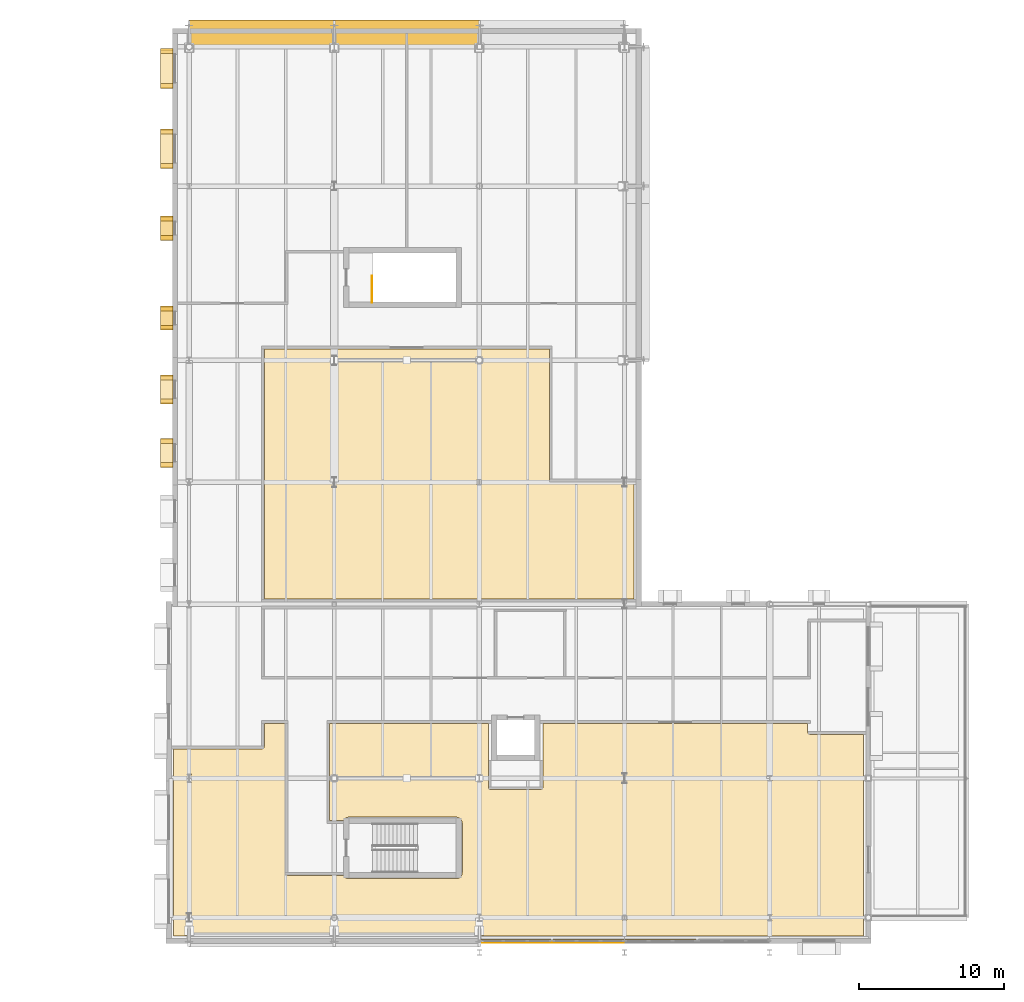
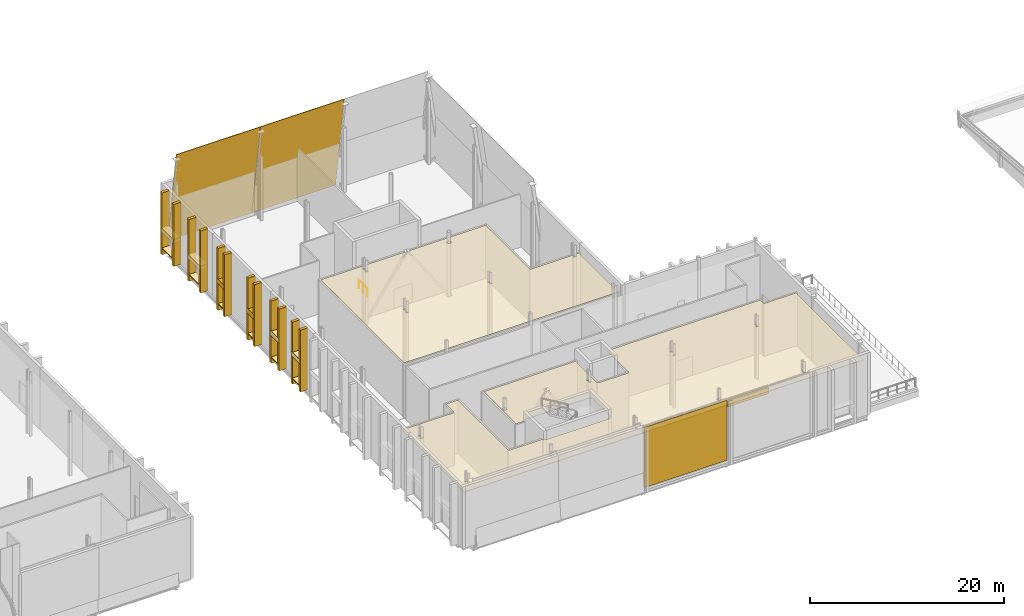
# One storey, part 77 of 79: 31 coverings, 2 railings, 1 shading device.
"""IFC4 building model written with IfcOpenShell, lengths in metres."""

from ifc_helpers import new_model, si_unit, direction, frame, origin, origin_2d, place, context, subcontext, project, spatial, polyline, rectangle, circle, outline, extrude, material, layer, layer_set, type_object, element, save


model = new_model("IFC4")

# Units and contexts
model_context = context("Model", 3, precision=1e-05, world=origin(), true_north=direction((0.0, 1.0)))
body_context = subcontext(model_context, "Body", "Model", "MODEL_VIEW")
ifc_project = project(units=[si_unit("LENGTHUNIT", "METRE"), si_unit("AREAUNIT", "SQUARE_METRE"), si_unit("VOLUMEUNIT", "CUBIC_METRE"), si_unit("PLANEANGLEUNIT", "RADIAN"), si_unit("MASSUNIT", "GRAM", prefix="KILO")], contexts=[model_context])

# Site, building, storey
site_placement = place(None, origin())
site = spatial("IfcSite", under=ifc_project, at=site_placement, CompositionType="ELEMENT")
building_placement = place(site_placement, origin())
building = spatial("IfcBuilding", under=site, at=building_placement, Name="Zereglee Splitstone Museum", CompositionType="ELEMENT")
storey_placement = place(building_placement, frame((0.0, 0.0, 9.0)))
storey = spatial("IfcBuildingStorey", under=building, at=storey_placement, Name="L02", CompositionType="ELEMENT", Elevation=9.0)

# Coverings
ifc_material_1 = material(Name="Siberian larch acoustic timber ceiling", Category="wood")
ifc_layer_1 = layer(ifc_material_1, 0.06005859375)
ifc_layer_set_1 = layer_set([ifc_layer_1], Name="Siberian larch acoustic timber ceiling")
covering_type_1 = type_object("IfcCoveringType", Name="CLG-01", PredefinedType="CEILING", material=ifc_layer_set_1)
covering_1_placement = place(storey_placement, frame((0.0, 0.0, 6.639892578125)))
element("IfcCovering", 1, at=covering_1_placement, inside=storey, type_object=covering_type_1, Name="Acoustic Ceiling L02-041", PredefinedType="CEILING", context=body_context, shape_type="SweptSolid", body=[
    extrude(outline(polyline([(184.8798828125, 13.3701171875), (195.820068359375, 13.3701171875), (195.820068359375, 9.0), (195.820068359375, 8.9990234375), (195.82080078125, 8.9833984375), (195.821044921875, 8.9814453125), (195.8232421875, 8.9658203125), (195.82373046875, 8.9638671875), (195.827392578125, 8.94873046875), (195.828125, 8.94677734375), (195.833251953125, 8.931884765625), (195.833984375, 8.93017578125), (195.8408203125, 8.916015625), (195.841796875, 8.914306640625), (195.849853515625, 8.90087890625), (195.850830078125, 8.899169921875), (195.8603515625, 8.88671875), (195.861572265625, 8.885009765625), (195.8720703125, 8.873291015625), (195.873291015625, 8.8720703125), (195.885009765625, 8.861572265625), (195.88671875, 8.8603515625), (195.899169921875, 8.850830078125), (195.90087890625, 8.849853515625), (195.914306640625, 8.841796875), (195.916015625, 8.8408203125), (195.93017578125, 8.833984375), (195.931884765625, 8.833251953125), (195.94677734375, 8.828125), (195.94873046875, 8.827392578125), (195.9638671875, 8.82373046875), (195.9658203125, 8.8232421875), (195.9814453125, 8.821044921875), (195.9833984375, 8.82080078125), (195.9990234375, 8.820068359375), (196.0, 8.820068359375), (199.39990234375, 8.820068359375), (199.40087890625, 8.820068359375), (199.416748046875, 8.82080078125), (199.418701171875, 8.821044921875), (199.43408203125, 8.8232421875), (199.43603515625, 8.82373046875), (199.451416015625, 8.827392578125), (199.453125, 8.828125), (199.468017578125, 8.833251953125), (199.4697265625, 8.833984375), (199.48388671875, 8.8408203125), (199.485595703125, 8.841796875), (199.499267578125, 8.849853515625), (199.500732421875, 8.850830078125), (199.513427734375, 8.8603515625), (199.514892578125, 8.861572265625), (199.526611328125, 8.8720703125), (199.528076171875, 8.873291015625), (199.53857421875, 8.885009765625), (199.539794921875, 8.88671875), (199.549072265625, 8.899169921875), (199.55029296875, 8.90087890625), (199.558349609375, 8.914306640625), (199.55908203125, 8.916015625), (199.56591796875, 8.93017578125), (199.566650390625, 8.931884765625), (199.572021484375, 8.94677734375), (199.572509765625, 8.94873046875), (199.576416015625, 8.9638671875), (199.57666015625, 8.9658203125), (199.5791015625, 8.9814453125), (199.5791015625, 8.9833984375), (199.580078125, 8.9990234375), (199.580078125, 9.0), (199.580078125, 13.3701171875), (217.820068359375, 13.3701171875), (217.820068359375, 12.800048828125), (217.820068359375, 12.799072265625), (217.82080078125, 12.783203125), (217.821044921875, 12.781494140625), (217.8232421875, 12.765869140625), (217.82373046875, 12.763916015625), (217.827392578125, 12.748779296875), (217.828125, 12.746826171875), (217.833251953125, 12.73193359375), (217.833984375, 12.730224609375), (217.8408203125, 12.716064453125), (217.841796875, 12.71435546875), (217.849853515625, 12.70068359375), (217.850830078125, 12.69921875), (217.8603515625, 12.6865234375), (217.861572265625, 12.68505859375), (217.8720703125, 12.67333984375), (217.873291015625, 12.672119140625), (217.885009765625, 12.66162109375), (217.88671875, 12.660400390625), (217.899169921875, 12.65087890625), (217.90087890625, 12.64990234375), (217.914306640625, 12.6416015625), (217.916015625, 12.640869140625), (217.93017578125, 12.634033203125), (217.931884765625, 12.63330078125), (217.94677734375, 12.628173828125), (217.94873046875, 12.62744140625), (217.9638671875, 12.623779296875), (217.9658203125, 12.623291015625), (217.9814453125, 12.62109375), (217.9833984375, 12.620849609375), (217.9990234375, 12.6201171875), (218.0, 12.6201171875), (221.659912109375, 12.6201171875), (221.659912109375, -1.260009765625), (174.139892578125, -1.260009765625), (174.139892578125, 11.6201171875), (180.199951171875, 11.6201171875), (180.200927734375, 11.6201171875), (180.216796875, 11.620849609375), (180.218505859375, 11.62109375), (180.234130859375, 11.623291015625), (180.236083984375, 11.623779296875), (180.251220703125, 11.62744140625), (180.253173828125, 11.628173828125), (180.26806640625, 11.63330078125), (180.269775390625, 11.634033203125), (180.283935546875, 11.640869140625), (180.28564453125, 11.6416015625), (180.29931640625, 11.64990234375), (180.30078125, 11.65087890625), (180.3134765625, 11.660400390625), (180.31494140625, 11.66162109375), (180.32666015625, 11.672119140625), (180.327880859375, 11.67333984375), (180.33837890625, 11.68505859375), (180.339599609375, 11.6865234375), (180.34912109375, 11.69921875), (180.35009765625, 11.70068359375), (180.3583984375, 11.71435546875), (180.359130859375, 11.716064453125), (180.365966796875, 11.730224609375), (180.36669921875, 11.73193359375), (180.371826171875, 11.746826171875), (180.37255859375, 11.748779296875), (180.376220703125, 11.763916015625), (180.376708984375, 11.765869140625), (180.37890625, 11.781494140625), (180.379150390625, 11.783203125), (180.3798828125, 11.799072265625), (180.3798828125, 11.800048828125), (180.3798828125, 13.3701171875), (181.820068359375, 13.3701171875), (181.820068359375, 3.10009765625), (181.820068359375, 3.09912109375), (181.82080078125, 3.083251953125), (181.821044921875, 3.081298828125), (181.8232421875, 3.06591796875), (181.82373046875, 3.06396484375), (181.827392578125, 3.048583984375), (181.828125, 3.046875), (181.833251953125, 3.031982421875), (181.833984375, 3.0302734375), (181.8408203125, 3.01611328125), (181.841796875, 3.014404296875), (181.849853515625, 3.000732421875), (181.850830078125, 2.999267578125), (181.8603515625, 2.986572265625), (181.861572265625, 2.985107421875), (181.8720703125, 2.973388671875), (181.873291015625, 2.971923828125), (181.885009765625, 2.96142578125), (181.88671875, 2.960205078125), (181.899169921875, 2.950927734375), (181.90087890625, 2.94970703125), (181.914306640625, 2.941650390625), (181.916015625, 2.94091796875), (181.93017578125, 2.93408203125), (181.931884765625, 2.933349609375), (181.94677734375, 2.927978515625), (181.94873046875, 2.927490234375), (181.9638671875, 2.923583984375), (181.9658203125, 2.92333984375), (181.9814453125, 2.9208984375), (181.9833984375, 2.9208984375), (181.9990234375, 2.919921875), (182.0, 2.919921875), (185.821044921875, 2.919921875), (185.82958984375, 2.902099609375), (185.850830078125, 2.86669921875), (185.875244140625, 2.83349609375), (185.903076171875, 2.802978515625), (185.93359375, 2.775390625), (185.966796875, 2.750732421875), (186.001953125, 2.7294921875), (186.039306640625, 2.7119140625), (186.078125, 2.697998046875), (186.1181640625, 2.68798828125), (186.15869140625, 2.681884765625), (186.199951171875, 2.679931640625), (193.60009765625, 2.679931640625), (193.64111328125, 2.681884765625), (193.681884765625, 2.68798828125), (193.721923828125, 2.697998046875), (193.7607421875, 2.7119140625), (193.798095703125, 2.7294921875), (193.833251953125, 2.750732421875), (193.866455078125, 2.775390625), (193.89697265625, 2.802978515625), (193.9248046875, 2.83349609375), (193.94921875, 2.86669921875), (193.970458984375, 2.902099609375), (193.988037109375, 2.939208984375), (194.001953125, 2.97802734375), (194.011962890625, 3.01806640625), (194.01806640625, 3.058837890625), (194.02001953125, 3.10009765625), (194.02001953125, 6.5), (194.01806640625, 6.541259765625), (194.011962890625, 6.581787109375), (194.001953125, 6.621826171875), (193.988037109375, 6.66064453125), (193.970458984375, 6.697998046875), (193.94921875, 6.7333984375), (193.9248046875, 6.766357421875), (193.89697265625, 6.797119140625), (193.866455078125, 6.82470703125), (193.833251953125, 6.84912109375), (193.798095703125, 6.870361328125), (193.7607421875, 6.887939453125), (193.721923828125, 6.90185546875), (193.681884765625, 6.911865234375), (193.64111328125, 6.91796875), (193.60009765625, 6.919921875), (186.199951171875, 6.919921875), (186.15869140625, 6.91796875), (186.1181640625, 6.911865234375), (186.078125, 6.90185546875), (186.039306640625, 6.887939453125), (186.001953125, 6.870361328125), (185.966796875, 6.84912109375), (185.93359375, 6.82470703125), (185.903076171875, 6.797119140625), (185.875244140625, 6.766357421875), (185.850830078125, 6.7333984375), (185.82958984375, 6.697998046875), (185.821044921875, 6.679931640625), (184.8798828125, 6.679931640625), (184.8798828125, 13.3701171875)]), holes=[polyline([(175.35791015625, 0.30810546875), (175.0419921875, 0.30810546875), (175.0419921875, 0.261962890625), (175.18408203125, 0.261962890625), (175.18408203125, -0.261962890625), (175.0419921875, -0.261962890625), (175.0419921875, -0.30810546875), (175.35791015625, -0.30810546875), (175.35791015625, -0.261962890625), (175.2158203125, -0.261962890625), (175.2158203125, 0.261962890625), (175.35791015625, 0.261962890625), (175.35791015625, 0.30810546875)]), polyline([(195.35791015625, 0.258056640625), (195.0419921875, 0.258056640625), (195.0419921875, 0.214111328125), (195.184814453125, 0.214111328125), (195.184814453125, -0.214111328125), (195.0419921875, -0.214111328125), (195.0419921875, -0.258056640625), (195.35791015625, -0.258056640625), (195.35791015625, -0.214111328125), (195.215087890625, -0.214111328125), (195.215087890625, 0.214111328125), (195.35791015625, 0.214111328125), (195.35791015625, 0.258056640625)]), polyline([(205.0419921875, 0.157958984375), (205.0419921875, -0.157958984375), (205.35791015625, -0.157958984375), (205.35791015625, 0.157958984375), (205.0419921875, 0.157958984375)]), polyline([(215.35791015625, 0.2080078125), (215.0419921875, 0.2080078125), (215.0419921875, 0.16796875), (215.185302734375, 0.16796875), (215.185302734375, -0.16796875), (215.0419921875, -0.16796875), (215.0419921875, -0.2080078125), (215.35791015625, -0.2080078125), (215.35791015625, -0.16796875), (215.214599609375, -0.16796875), (215.214599609375, 0.16796875), (215.35791015625, 0.16796875), (215.35791015625, 0.2080078125)]), polyline([(185.28076171875, -0.195068359375), (185.3173828125, -0.175537109375), (185.349365234375, -0.1494140625), (185.37548828125, -0.1171875), (185.39501953125, -0.080810546875), (185.406982421875, -0.041259765625), (185.4111328125, 0.0), (185.406982421875, 0.041259765625), (185.39501953125, 0.080810546875), (185.37548828125, 0.1171875), (185.349365234375, 0.1494140625), (185.3173828125, 0.175537109375), (185.28076171875, 0.195068359375), (185.2412109375, 0.20703125), (185.199951171875, 0.211181640625), (185.15869140625, 0.20703125), (185.119140625, 0.195068359375), (185.082763671875, 0.175537109375), (185.05078125, 0.1494140625), (185.0244140625, 0.1171875), (185.0048828125, 0.080810546875), (184.992919921875, 0.041259765625), (184.98876953125, 0.0), (184.992919921875, -0.041259765625), (185.0048828125, -0.080810546875), (185.0244140625, -0.1171875), (185.05078125, -0.1494140625), (185.082763671875, -0.175537109375), (185.119140625, -0.195068359375), (185.15869140625, -0.20703125), (185.199951171875, -0.211181640625), (185.2412109375, -0.20703125), (185.28076171875, -0.195068359375)]), polyline([(185.01708984375, 9.782958984375), (185.01708984375, 9.4169921875), (185.383056640625, 9.4169921875), (185.383056640625, 9.782958984375), (185.01708984375, 9.782958984375)]), polyline([(215.35791015625, 9.7880859375), (215.0419921875, 9.7880859375), (215.0419921875, 9.74951171875), (215.185791015625, 9.74951171875), (215.185791015625, 9.450439453125), (215.0419921875, 9.450439453125), (215.0419921875, 9.412109375), (215.35791015625, 9.412109375), (215.35791015625, 9.450439453125), (215.214111328125, 9.450439453125), (215.214111328125, 9.74951171875), (215.35791015625, 9.74951171875), (215.35791015625, 9.7880859375)]), polyline([(175.35791015625, 9.883056640625), (175.0419921875, 9.883056640625), (175.0419921875, 9.837890625), (175.1845703125, 9.837890625), (175.1845703125, 9.362060546875), (175.0419921875, 9.362060546875), (175.0419921875, 9.31689453125), (175.35791015625, 9.31689453125), (175.35791015625, 9.362060546875), (175.215576171875, 9.362060546875), (175.215576171875, 9.837890625), (175.35791015625, 9.837890625), (175.35791015625, 9.883056640625)]), polyline([(205.35791015625, 9.9580078125), (205.0419921875, 9.9580078125), (205.0419921875, 9.909912109375), (205.18359375, 9.909912109375), (205.18359375, 9.2900390625), (205.0419921875, 9.2900390625), (205.0419921875, 9.241943359375), (205.35791015625, 9.241943359375), (205.35791015625, 9.2900390625), (205.216552734375, 9.2900390625), (205.216552734375, 9.909912109375), (205.35791015625, 9.909912109375), (205.35791015625, 9.9580078125)]), polyline([(195.35791015625, 9.791015625), (195.35791015625, 9.8330078125), (195.0419921875, 9.8330078125), (195.0419921875, 9.791015625), (195.18505859375, 9.791015625), (195.18505859375, 9.408935546875), (195.0419921875, 9.408935546875), (195.0419921875, 9.366943359375), (195.35791015625, 9.366943359375), (195.35791015625, 9.408935546875), (195.215087890625, 9.408935546875), (195.215087890625, 9.791015625), (195.35791015625, 9.791015625)])]), origin(), (0.0, 0.0, 1.0), 0.06005859375),
])
covering_2_placement = place(storey_placement, frame((0.0, 0.0, 6.639892578125)))
element("IfcCovering", 2, at=covering_2_placement, inside=storey, type_object=covering_type_1, Name="Acoustic Ceiling L02-044", PredefinedType="CEILING", context=body_context, shape_type="SweptSolid", body=[
    extrude(outline(polyline([(180.3798828125, 39.169921875), (200.02001953125, 39.169921875), (200.02001953125, 30.199951171875), (200.02001953125, 30.198974609375), (200.020751953125, 30.183349609375), (200.02099609375, 30.181396484375), (200.023193359375, 30.166015625), (200.023681640625, 30.163818359375), (200.027587890625, 30.148681640625), (200.028076171875, 30.146728515625), (200.033203125, 30.132080078125), (200.0341796875, 30.130126953125), (200.040771484375, 30.115966796875), (200.041748046875, 30.1142578125), (200.0498046875, 30.100830078125), (200.05078125, 30.09912109375), (200.060302734375, 30.086669921875), (200.0615234375, 30.085205078125), (200.072021484375, 30.073486328125), (200.073486328125, 30.072021484375), (200.085205078125, 30.0615234375), (200.086669921875, 30.060302734375), (200.09912109375, 30.05078125), (200.100830078125, 30.0498046875), (200.1142578125, 30.041748046875), (200.115966796875, 30.040771484375), (200.130126953125, 30.0341796875), (200.132080078125, 30.033203125), (200.146728515625, 30.028076171875), (200.148681640625, 30.027587890625), (200.163818359375, 30.023681640625), (200.166015625, 30.023193359375), (200.181396484375, 30.02099609375), (200.183349609375, 30.020751953125), (200.198974609375, 30.02001953125), (200.199951171875, 30.02001953125), (205.18408203125, 30.02001953125), (205.18408203125, 29.738037109375), (205.0419921875, 29.738037109375), (205.0419921875, 29.69189453125), (205.35791015625, 29.69189453125), (205.35791015625, 29.738037109375), (205.2158203125, 29.738037109375), (205.2158203125, 30.02001953125), (205.840087890625, 30.02001953125), (205.840087890625, 21.93994140625), (180.3798828125, 21.93994140625), (180.3798828125, 39.169921875)]), holes=[polyline([(195.35791015625, 30.18798828125), (195.0419921875, 30.18798828125), (195.0419921875, 30.1494140625), (195.185791015625, 30.1494140625), (195.185791015625, 29.8505859375), (195.0419921875, 29.8505859375), (195.0419921875, 29.81201171875), (195.35791015625, 29.81201171875), (195.35791015625, 29.8505859375), (195.214111328125, 29.8505859375), (195.214111328125, 30.1494140625), (195.35791015625, 30.1494140625), (195.35791015625, 30.18798828125)]), polyline([(185.35791015625, 30.35791015625), (185.0419921875, 30.35791015625), (185.0419921875, 30.31005859375), (185.18359375, 30.31005859375), (185.18359375, 29.68994140625), (185.0419921875, 29.68994140625), (185.0419921875, 29.64208984375), (185.35791015625, 29.64208984375), (185.35791015625, 29.68994140625), (185.216552734375, 29.68994140625), (185.216552734375, 30.31005859375), (185.35791015625, 30.31005859375), (185.35791015625, 30.35791015625)]), polyline([(195.29052734375, 38.181396484375), (195.331298828125, 38.203369140625), (195.3671875, 38.23291015625), (195.396484375, 38.2685546875), (195.41845703125, 38.3095703125), (195.431884765625, 38.35400390625), (195.4365234375, 38.39990234375), (195.431884765625, 38.446044921875), (195.41845703125, 38.490478515625), (195.396484375, 38.531494140625), (195.3671875, 38.567138671875), (195.331298828125, 38.5966796875), (195.29052734375, 38.618408203125), (195.24609375, 38.632080078125), (195.199951171875, 38.636474609375), (195.15380859375, 38.632080078125), (195.109619140625, 38.618408203125), (195.068603515625, 38.5966796875), (195.03271484375, 38.567138671875), (195.00341796875, 38.531494140625), (194.9814453125, 38.490478515625), (194.968017578125, 38.446044921875), (194.96337890625, 38.39990234375), (194.968017578125, 38.35400390625), (194.9814453125, 38.3095703125), (195.00341796875, 38.2685546875), (195.03271484375, 38.23291015625), (195.068603515625, 38.203369140625), (195.109619140625, 38.181396484375), (195.15380859375, 38.16796875), (195.199951171875, 38.16357421875), (195.24609375, 38.16796875), (195.29052734375, 38.181396484375)]), polyline([(185.35791015625, 38.73291015625), (185.0419921875, 38.73291015625), (185.0419921875, 38.68603515625), (185.18408203125, 38.68603515625), (185.18408203125, 38.114013671875), (185.0419921875, 38.114013671875), (185.0419921875, 38.06689453125), (185.35791015625, 38.06689453125), (185.35791015625, 38.114013671875), (185.216064453125, 38.114013671875), (185.216064453125, 38.68603515625), (185.35791015625, 38.68603515625), (185.35791015625, 38.73291015625)])]), origin(), (0.0, 0.0, 1.0), 0.06005859375),
])
ifc_material_2 = material(Name="Honed Gobi pale limestone stringcourse and soffit cladding", Category="masonry")
ifc_layer_2 = layer(ifc_material_2, 0.070068359375)
ifc_layer_set_2 = layer_set([ifc_layer_2], Name="Honed Gobi pale limestone stringcourse and soffit cladding")
covering_type_2 = type_object("IfcCoveringType", Name="CL-02", PredefinedType="CLADDING", material=ifc_layer_set_2)
for number, where, z_axis, x_axis, name in (
    (3, (197.679931640625, -1.60009765625, 6.824951171875), (0.0, 0.0, 1.0), (1.0, 0.0, 0.0), "Mughal Carved Clerestory Jaali Frieze RC4-CW-L02-102-1"),
    (4, (202.719970703125, -1.60009765625, 6.804931640625), (0.0, 0.0, 1.0), (1.0, 0.0, 0.0), "Mughal Carved Clerestory Jaali Frieze RC4-CW-L02-102-2"),
    (5, (207.679931640625, -1.60009765625, 6.764892578125), (0.0, 0.0, 1.0), (1.0, 0.0, 0.0), "Mughal Carved Clerestory Jaali Frieze RC4-CW-L02-103-1"),
):
    element("IfcCovering", number, at=place(storey_placement, frame(where, z_axis=z_axis, x_axis=x_axis)), inside=storey, type_object=covering_type_2, Name=name, PredefinedType="CLADDING", context=body_context, shape_type="SweptSolid", body=[
        extrude(rectangle(XDim=4.8798828125, YDim=0.239990234375, at=origin_2d()), origin(), (0.0, 0.0, 1.0), 0.75),
    ])
for number, where, z_axis, x_axis, name in (
    (6, (173.675048828125, 59.695068359375, 0.0), (0.0, 0.0, 1.0), (0.0, -1.0, 0.0), "Mughal Window Reveal Stone Pilaster L02-0073L"),
    (7, (173.675048828125, 57.304931640625, 0.0), (0.0, 0.0, 1.0), (0.0, -1.0, 0.0), "Mughal Window Reveal Stone Pilaster L02-0073R"),
):
    element("IfcCovering", number, at=place(storey_placement, frame(where, z_axis=z_axis, x_axis=x_axis)), inside=storey, type_object=covering_type_2, Name=name, PredefinedType="CLADDING", context=body_context, shape_type="SweptSolid", body=[
        extrude(rectangle(XDim=0.340087890625, YDim=0.860107421875, at=origin_2d()), origin(), (0.0, 0.0, 1.0), 7.800048828125),
    ])
covering_3_placement = place(storey_placement, frame((173.6650390625, 58.5, 0.760009765625), z_axis=(0.0, 0.0, 1.0), x_axis=(0.0, -1.0, 0.0)))
element("IfcCovering", 8, at=covering_3_placement, inside=storey, type_object=covering_type_2, Name="Carved Limestone Window Sill L02-0073", PredefinedType="CLADDING", context=body_context, shape_type="SweptSolid", body=[
    extrude(rectangle(XDim=2.590087890625, YDim=0.840087890625, at=origin_2d()), origin(), (0.0, 0.0, 1.0), 0.1201171875),
])
for number, where, z_axis, x_axis, name in (
    (9, (173.675048828125, 54.175048828125, 0.0), (0.0, 0.0, 1.0), (0.0, -1.0, 0.0), "Mughal Window Reveal Stone Pilaster L02-0074L"),
    (10, (173.675048828125, 51.784912109375, 0.0), (0.0, 0.0, 1.0), (0.0, -1.0, 0.0), "Mughal Window Reveal Stone Pilaster L02-0074R"),
):
    element("IfcCovering", number, at=place(storey_placement, frame(where, z_axis=z_axis, x_axis=x_axis)), inside=storey, type_object=covering_type_2, Name=name, PredefinedType="CLADDING", context=body_context, shape_type="SweptSolid", body=[
        extrude(rectangle(XDim=0.340087890625, YDim=0.860107421875, at=origin_2d()), origin(), (0.0, 0.0, 1.0), 7.800048828125),
    ])
covering_4_placement = place(storey_placement, frame((173.6650390625, 52.97998046875, 0.760009765625), z_axis=(0.0, 0.0, 1.0), x_axis=(0.0, -1.0, 0.0)))
element("IfcCovering", 11, at=covering_4_placement, inside=storey, type_object=covering_type_2, Name="Carved Limestone Window Sill L02-0074", PredefinedType="CLADDING", context=body_context, shape_type="SweptSolid", body=[
    extrude(rectangle(XDim=2.590087890625, YDim=0.840087890625, at=origin_2d()), origin(), (0.0, 0.0, 1.0), 0.1201171875),
])
for number, where, z_axis, x_axis, name in (
    (12, (173.675048828125, 48.159912109375, 0.0), (0.0, 0.0, 1.0), (0.0, -1.0, 0.0), "Mughal Window Reveal Stone Pilaster L02-0075L"),
    (13, (173.675048828125, 46.820068359375, 0.0), (0.0, 0.0, 1.0), (0.0, -1.0, 0.0), "Mughal Window Reveal Stone Pilaster L02-0075R"),
):
    element("IfcCovering", number, at=place(storey_placement, frame(where, z_axis=z_axis, x_axis=x_axis)), inside=storey, type_object=covering_type_2, Name=name, PredefinedType="CLADDING", context=body_context, shape_type="SweptSolid", body=[
        extrude(rectangle(XDim=0.340087890625, YDim=0.860107421875, at=origin_2d()), origin(), (0.0, 0.0, 1.0), 7.800048828125),
    ])
covering_5_placement = place(storey_placement, frame((173.6650390625, 47.489990234375, 0.760009765625), z_axis=(0.0, 0.0, 1.0), x_axis=(0.0, -1.0, 0.0)))
element("IfcCovering", 14, at=covering_5_placement, inside=storey, type_object=covering_type_2, Name="Carved Limestone Window Sill L02-0075", PredefinedType="CLADDING", context=body_context, shape_type="SweptSolid", body=[
    extrude(rectangle(XDim=1.5400390625, YDim=0.840087890625, at=origin_2d()), origin(), (0.0, 0.0, 1.0), 0.1201171875),
])
for number, where, z_axis, x_axis, name in (
    (15, (173.675048828125, 41.97998046875, 0.0), (0.0, 0.0, 1.0), (0.0, -1.0, 0.0), "Mughal Window Reveal Stone Pilaster L02-0076L"),
    (16, (173.675048828125, 40.639892578125, 0.0), (0.0, 0.0, 1.0), (0.0, -1.0, 0.0), "Mughal Window Reveal Stone Pilaster L02-0076R"),
):
    element("IfcCovering", number, at=place(storey_placement, frame(where, z_axis=z_axis, x_axis=x_axis)), inside=storey, type_object=covering_type_2, Name=name, PredefinedType="CLADDING", context=body_context, shape_type="SweptSolid", body=[
        extrude(rectangle(XDim=0.340087890625, YDim=0.860107421875, at=origin_2d()), origin(), (0.0, 0.0, 1.0), 7.800048828125),
    ])
covering_6_placement = place(storey_placement, frame((173.6650390625, 41.31005859375, 0.760009765625), z_axis=(0.0, 0.0, 1.0), x_axis=(0.0, -1.0, 0.0)))
element("IfcCovering", 17, at=covering_6_placement, inside=storey, type_object=covering_type_2, Name="Carved Limestone Window Sill L02-0076", PredefinedType="CLADDING", context=body_context, shape_type="SweptSolid", body=[
    extrude(rectangle(XDim=1.5400390625, YDim=0.840087890625, at=origin_2d()), origin(), (0.0, 0.0, 1.0), 0.1201171875),
])
for number, where, z_axis, x_axis, name in (
    (18, (173.675048828125, 37.2099609375, 0.0), (0.0, 0.0, 1.0), (0.0, -1.0, 0.0), "Mughal Window Reveal Stone Pilaster L02-0077L"),
    (19, (173.675048828125, 35.570068359375, 0.0), (0.0, 0.0, 1.0), (0.0, -1.0, 0.0), "Mughal Window Reveal Stone Pilaster L02-0077R"),
):
    element("IfcCovering", number, at=place(storey_placement, frame(where, z_axis=z_axis, x_axis=x_axis)), inside=storey, type_object=covering_type_2, Name=name, PredefinedType="CLADDING", context=body_context, shape_type="SweptSolid", body=[
        extrude(rectangle(XDim=0.340087890625, YDim=0.860107421875, at=origin_2d()), origin(), (0.0, 0.0, 1.0), 7.800048828125),
    ])
covering_7_placement = place(storey_placement, frame((173.6650390625, 36.389892578125, 0.659912109375), z_axis=(0.0, 0.0, 1.0), x_axis=(0.0, -1.0, 0.0)))
element("IfcCovering", 20, at=covering_7_placement, inside=storey, type_object=covering_type_2, Name="Carved Limestone Window Sill L02-0077", PredefinedType="CLADDING", context=body_context, shape_type="SweptSolid", body=[
    extrude(rectangle(XDim=1.840087890625, YDim=0.840087890625, at=origin_2d()), origin(), (0.0, 0.0, 1.0), 0.1201171875),
])
for number, where, z_axis, x_axis, name in (
    (21, (173.675048828125, 32.830078125, 0.0), (0.0, 0.0, 1.0), (0.0, -1.0, 0.0), "Mughal Window Reveal Stone Pilaster L02-0078L"),
    (22, (173.675048828125, 31.18994140625, 0.0), (0.0, 0.0, 1.0), (0.0, -1.0, 0.0), "Mughal Window Reveal Stone Pilaster L02-0078R"),
):
    element("IfcCovering", number, at=place(storey_placement, frame(where, z_axis=z_axis, x_axis=x_axis)), inside=storey, type_object=covering_type_2, Name=name, PredefinedType="CLADDING", context=body_context, shape_type="SweptSolid", body=[
        extrude(rectangle(XDim=0.340087890625, YDim=0.860107421875, at=origin_2d()), origin(), (0.0, 0.0, 1.0), 7.800048828125),
    ])
covering_8_placement = place(storey_placement, frame((173.6650390625, 32.010009765625, 0.659912109375), z_axis=(0.0, 0.0, 1.0), x_axis=(0.0, -1.0, 0.0)))
element("IfcCovering", 23, at=covering_8_placement, inside=storey, type_object=covering_type_2, Name="Carved Limestone Window Sill L02-0078", PredefinedType="CLADDING", context=body_context, shape_type="SweptSolid", body=[
    extrude(rectangle(XDim=1.840087890625, YDim=0.840087890625, at=origin_2d()), origin(), (0.0, 0.0, 1.0), 0.1201171875),
])
for number, where, z_axis, x_axis, name in (
    (24, (175.199951171875, 60.06005859375, 11.64990234375), (0.0, 0.988937245775, 0.1483345001), (1.0, 0.0, 0.0), "Split-Rock Continuous Inclined Facet FH-V4N L02.1"),
    (25, (185.199951171875, 60.06005859375, 11.64990234375), (0.0, 0.988937245775, 0.1483345001), (1.0, 0.0, 0.0), "Split-Rock Continuous Inclined Facet FH-V4N L02.2"),
):
    element("IfcCovering", number, at=place(storey_placement, frame(where, z_axis=z_axis, x_axis=x_axis)), inside=storey, type_object=covering_type_2, Name=name, PredefinedType="CLADDING", context=body_context, shape_type="SweptSolid", body=[
        extrude(outline(polyline([(0.0, 0.0), (10.0, 0.0), (10.0, 12.033020694280395), (0.0, 12.033020694280395), (0.0, 0.0)])), origin(), (0.0, 0.0, -1.0), 0.070068359375),
    ])
ifc_material_3 = material(Name="Honed Khoroo red sandstone ventilated rainscreen", Category="masonry")
ifc_layer_3 = layer(ifc_material_3, 0.080078125)
ifc_layer_set_3 = layer_set([ifc_layer_3], Name="Honed Khoroo red sandstone ventilated rainscreen")
covering_type_3 = type_object("IfcCoveringType", Name="CL-01", PredefinedType="CLADDING", material=ifc_layer_set_3)
for number, where, z_axis, x_axis, name in (
    (26, (173.6650390625, 58.5, 2.760009765625), (0.0, 0.0, 1.0), (0.0, -1.0, 0.0), "Pointed-Arch Mughal Window Hood L02-0073"),
    (27, (173.6650390625, 52.97998046875, 2.760009765625), (0.0, 0.0, 1.0), (0.0, -1.0, 0.0), "Pointed-Arch Mughal Window Hood L02-0074"),
):
    element("IfcCovering", number, at=place(storey_placement, frame(where, z_axis=z_axis, x_axis=x_axis)), inside=storey, type_object=covering_type_3, Name=name, PredefinedType="CLADDING", context=body_context, shape_type="SweptSolid", body=[
        extrude(rectangle(XDim=2.590087890625, YDim=0.860107421875, at=origin_2d()), origin(), (0.0, 0.0, 1.0), 0.580078125),
    ])
for number, where, z_axis, x_axis, name in (
    (28, (173.6650390625, 47.489990234375, 3.35986328125), (0.0, 0.0, 1.0), (0.0, -1.0, 0.0), "Pointed-Arch Mughal Window Hood L02-0075"),
    (29, (173.6650390625, 41.31005859375, 3.35986328125), (0.0, 0.0, 1.0), (0.0, -1.0, 0.0), "Pointed-Arch Mughal Window Hood L02-0076"),
):
    element("IfcCovering", number, at=place(storey_placement, frame(where, z_axis=z_axis, x_axis=x_axis)), inside=storey, type_object=covering_type_3, Name=name, PredefinedType="CLADDING", context=body_context, shape_type="SweptSolid", body=[
        extrude(rectangle(XDim=1.5400390625, YDim=0.860107421875, at=origin_2d()), origin(), (0.0, 0.0, 1.0), 0.580078125),
    ])
for number, where, z_axis, x_axis, name in (
    (30, (173.6650390625, 36.389892578125, 3.4599609375), (0.0, 0.0, 1.0), (0.0, -1.0, 0.0), "Pointed-Arch Mughal Window Hood L02-0077"),
    (31, (173.6650390625, 32.010009765625, 3.4599609375), (0.0, 0.0, 1.0), (0.0, -1.0, 0.0), "Pointed-Arch Mughal Window Hood L02-0078"),
):
    element("IfcCovering", number, at=place(storey_placement, frame(where, z_axis=z_axis, x_axis=x_axis)), inside=storey, type_object=covering_type_3, Name=name, PredefinedType="CLADDING", context=body_context, shape_type="SweptSolid", body=[
        extrude(rectangle(XDim=1.840087890625, YDim=0.860107421875, at=origin_2d()), origin(), (0.0, 0.0, 1.0), 0.580078125),
    ])

# Railings
ifc_material_4 = material(Name="Painted steel S355J2 post-and-baluster guard", Category="steel")
railing_type = type_object("IfcRailingType", Name="GR-03", PredefinedType="BALUSTRADE", material=ifc_material_4)
railing_1_placement = place(storey_placement, frame((187.800048828125, 42.39990234375, 0.0)))
element("IfcRailing", 32, at=railing_1_placement, inside=storey, type_object=railing_type, Name="L02 ST-07 top well guard 1", PredefinedType="BALUSTRADE", context=body_context, shape_type="SweptSolid", body=[
    extrude(circle(Radius=0.02392578125, at=origin_2d()), frame((0.0, 0.0, 1.076416015625), z_axis=(0.0, 1.0, 0.0), x_axis=(-1.0, 0.0, 0.0)), (0.0, 0.0, 1.0), 1.800048828125),
    extrude(circle(Radius=0.02099609375, at=origin_2d()), origin(), (0.0, 0.0, 1.0), 1.052001953125),
    extrude(circle(Radius=0.02099609375, at=origin_2d()), frame((0.0, 0.89990234375, 0.0)), (0.0, 0.0, 1.0), 1.052001953125),
    extrude(circle(Radius=0.02099609375, at=origin_2d()), frame((0.0, 1.800048828125, 0.0)), (0.0, 0.0, 1.0), 1.052001953125),
])
railing_2_placement = place(storey_placement, frame((187.81005859375, 42.419921875, 0.0)))
element("IfcRailing", 33, at=railing_2_placement, inside=storey, type_object=railing_type, Name="Stair Top-Floor Well Guard ST-07", PredefinedType="BALUSTRADE", context=body_context, shape_type="SweptSolid", body=[
    extrude(circle(Radius=0.02392578125, at=origin_2d()), frame((0.0, 0.0, 1.076416015625), z_axis=(0.0, 1.0, 0.0), x_axis=(-1.0, 0.0, 0.0)), (0.0, 0.0, 1.0), 1.780029296875),
    extrude(circle(Radius=0.02099609375, at=origin_2d()), origin(), (0.0, 0.0, 1.0), 1.052001953125),
    extrude(circle(Radius=0.02099609375, at=origin_2d()), frame((0.0, 0.89013671875, 0.0)), (0.0, 0.0, 1.0), 1.052001953125),
    extrude(circle(Radius=0.02099609375, at=origin_2d()), frame((0.0, 1.780029296875, 0.0)), (0.0, 0.0, 1.0), 1.052001953125),
])

# Shading device
ifc_material_5 = material(Name="Patinated architectural bronze CuSn8 geometric jali screen")
ifc_layer_4 = layer(ifc_material_5, 0.06005859375)
ifc_layer_set_4 = layer_set([ifc_layer_4], Name="Patinated architectural bronze CuSn8 geometric jali screen")
shading_device_type = type_object("IfcShadingDeviceType", Name="JL-01", PredefinedType="USERDEFINED", material=ifc_layer_set_4)
shading_device_placement = place(storey_placement, frame((195.25, -1.679931640625, 0.1201171875), z_axis=(0.0, -1.0, 0.0), x_axis=(1.0, 0.0, 0.0)))
element("IfcShadingDevice", 34, at=shading_device_placement, inside=storey, type_object=shading_device_type, Name="Bronze Mughal Jali Screen 19", ObjectType="SCREEN", PredefinedType="USERDEFINED", context=body_context, shape_type="SweptSolid", body=[
    extrude(outline(polyline([(0.0, 0.0), (9.89990234375, 0.0), (9.89990234375, 7.559814453125), (0.0, 7.559814453125), (0.0, 0.0)])), origin(), (0.0, 0.0, 1.0), 0.06005859375),
])

save(model, "model.ifc")
